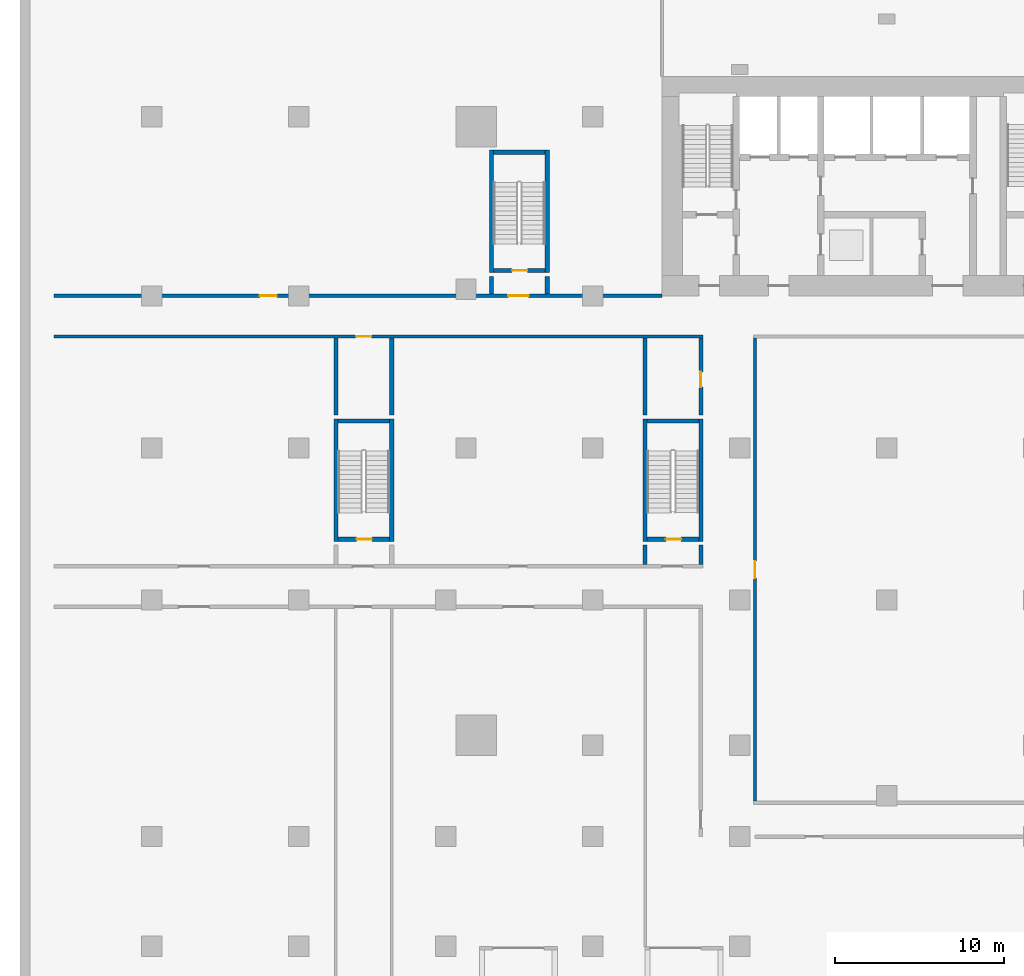
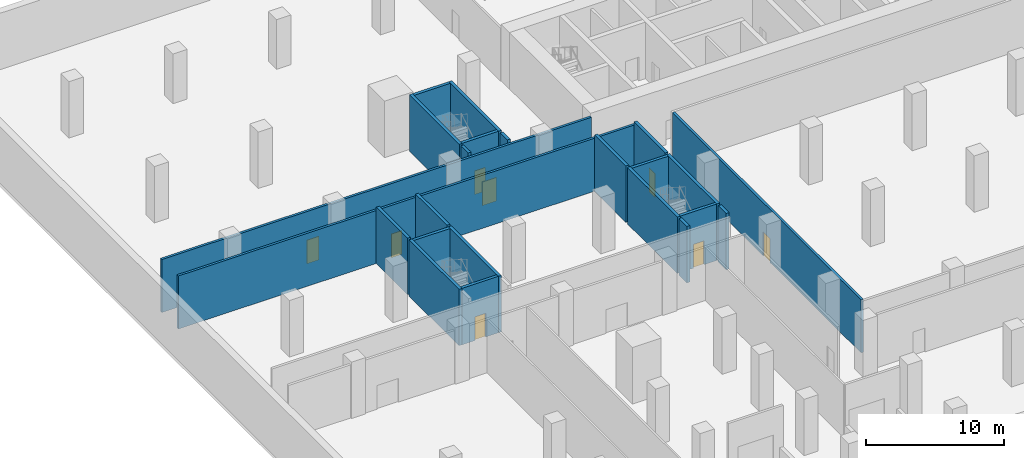
# One storey, part 6 of 16: 23 walls, 8 doors, 8 openings.
"""IFC4 building model written with IfcOpenShell, lengths in metres."""

from ifc_helpers import new_model, si_unit, direction, frame, frame_2d, origin, place, context, subcontext, project, spatial, rectangle, extrude, material, layer, layer_set, type_object, element, fill, save


model = new_model("IFC4")

# Units and contexts
model_context = context("Model", 3, precision=1e-05, world=origin(), true_north=direction((0.0, 1.0)))
body_context = subcontext(model_context, "Body", "Model", "MODEL_VIEW")
ifc_project = project(units=[si_unit("LENGTHUNIT", "METRE"), si_unit("AREAUNIT", "SQUARE_METRE"), si_unit("VOLUMEUNIT", "CUBIC_METRE"), si_unit("PLANEANGLEUNIT", "RADIAN"), si_unit("MASSUNIT", "GRAM", prefix="KILO")], contexts=[model_context])

# Site, building, storey
site_placement = place(None, origin())
site = spatial("IfcSite", under=ifc_project, at=site_placement, CompositionType="ELEMENT")
building_placement = place(site_placement, origin())
building = spatial("IfcBuilding", under=site, at=building_placement, Name="Bicima Exchange Tower", CompositionType="ELEMENT")
storey_placement = place(building_placement, frame((0.0, 0.0, -5.0)))
storey = spatial("IfcBuildingStorey", under=building, at=storey_placement, Name="B1", CompositionType="ELEMENT", Elevation=-5.0)

# Wall, opening, door
ifc_material_1 = material(Name="Gypsum board partition")
ifc_layer_1 = layer(ifc_material_1, 0.199951171875)
ifc_layer_set_1 = layer_set([ifc_layer_1], Name="Gypsum board partition")
wall_type_1 = type_object("IfcWallType", Name="Fire-rated gypsum partition 200 EI60", PredefinedType="PARTITIONING", material=ifc_layer_set_1)
wall_1_placement = place(storey_placement, frame((-58.0, -15.39990234375, 0.0), z_axis=(0.0, 0.0, 1.0), x_axis=(1.0, 0.0, 0.0)))
wall_1 = element("IfcWall", 1, at=wall_1_placement, inside=storey, type_object=wall_type_1, Name="partition wall 18", PredefinedType="PARTITIONING", context=body_context, shape_type="SweptSolid", body=[
    extrude(rectangle(XDim=38.425048828125, YDim=0.199951171875, at=frame_2d((19.21240234375, 0.0))), origin(), (0.0, 0.0, 1.0), 4.699951171875),
])
opening_1_placement = place(wall_1_placement, frame((17.89990234375, 0.0, 0.0)))
opening_1 = element("IfcOpeningElement", 2, at=opening_1_placement, cuts=wall_1, Name="Opening B1-020", PredefinedType="OPENING", context=body_context, shape_type="SweptSolid", body=[
    extrude(rectangle(XDim=0.89990234375, YDim=2.10009765625, at=frame_2d((0.449951171875, 1.050048828125))), frame((0.0, 0.11181640625, 0.0), z_axis=(0.0, -1.0, 0.0), x_axis=(1.0, 0.0, 0.0)), (0.0, 0.0, 1.0), 0.223876953125),
])
ifc_material_2 = material(Name="Steel fire door leaf", Category="steel")
door_type_1 = type_object("IfcDoorType", Name="Door 900 swing FD30S", OperationType="SINGLE_SWING_LEFT", PredefinedType="DOOR", material=ifc_material_2)
door_1_placement = place(opening_1_placement, frame((0.89990234375, 0.0, 0.0), z_axis=(0.0, 0.0, 1.0), x_axis=(-1.0, 0.0, 0.0)))
door_1 = element("IfcDoor", 3, at=door_1_placement, inside=storey, type_object=door_type_1, Name="Door", OperationType="SINGLE_SWING_RIGHT", OverallHeight=2.10009765625, OverallWidth=0.89990234375, PredefinedType="DOOR", context=body_context, shape_type="SweptSolid", body=[
    extrude(rectangle(XDim=0.89990234375, YDim=2.10009765625, at=frame_2d((0.449951171875, 1.050048828125))), frame((0.0, 0.02490234375, 0.0), z_axis=(0.0, -1.0, 0.0), x_axis=(1.0, 0.0, 0.0)), (0.0, 0.0, 1.0), 0.050048828125),
])
fill(opening_1, door_1)

# Wall, openings, doors
wall_2_placement = place(storey_placement, frame((-58.0, -13.0, 0.0), z_axis=(0.0, 0.0, 1.0), x_axis=(1.0, 0.0, 0.0)))
wall_2 = element("IfcWall", 4, at=wall_2_placement, inside=storey, type_object=wall_type_1, Name="partition wall 22", PredefinedType="PARTITIONING", context=body_context, shape_type="SweptSolid", body=[
    extrude(rectangle(XDim=36.0, YDim=0.199951171875, at=frame_2d((18.0, 0.0))), origin(), (0.0, 0.0, 1.0), 4.699951171875),
])
opening_2_placement = place(wall_2_placement, frame((26.89990234375, 0.0, 0.0)))
opening_2 = element("IfcOpeningElement", 5, at=opening_2_placement, cuts=wall_2, Name="Opening B1-009", PredefinedType="OPENING", context=body_context, shape_type="SweptSolid", body=[
    extrude(rectangle(XDim=1.199951171875, YDim=2.10009765625, at=frame_2d((0.60009765625, 1.050048828125))), frame((0.0, 0.11181640625, 0.0), z_axis=(0.0, -1.0, 0.0), x_axis=(1.0, 0.0, 0.0)), (0.0, 0.0, 1.0), 0.223876953125),
])
opening_3_placement = place(wall_2_placement, frame((12.199951171875, 0.0, 0.0)))
opening_3 = element("IfcOpeningElement", 6, at=opening_3_placement, cuts=wall_2, Name="Opening B1-015", PredefinedType="OPENING", context=body_context, shape_type="SweptSolid", body=[
    extrude(rectangle(XDim=1.0, YDim=2.10009765625, at=frame_2d((0.5, 1.050048828125))), frame((0.0, 0.11181640625, 0.0), z_axis=(0.0, -1.0, 0.0), x_axis=(1.0, 0.0, 0.0)), (0.0, 0.0, 1.0), 0.223876953125),
])
door_type_2 = type_object("IfcDoorType", Name="Door 1000 swing FD30S", OperationType="SINGLE_SWING_LEFT", PredefinedType="DOOR", material=ifc_material_2)
door_2_placement = place(opening_3_placement, origin())
door_2 = element("IfcDoor", 7, at=door_2_placement, inside=storey, type_object=door_type_2, Name="Door", OperationType="SINGLE_SWING_RIGHT", OverallHeight=2.10009765625, OverallWidth=1.0, PredefinedType="DOOR", context=body_context, shape_type="SweptSolid", body=[
    extrude(rectangle(XDim=1.0, YDim=2.10009765625, at=frame_2d((0.5, 1.050048828125))), frame((0.0, 0.02490234375, 0.0), z_axis=(0.0, -1.0, 0.0), x_axis=(1.0, 0.0, 0.0)), (0.0, 0.0, 1.0), 0.050048828125),
])
fill(opening_3, door_2)
door_type_3 = type_object("IfcDoorType", Name="Door 1200 swing FD30S", OperationType="SINGLE_SWING_LEFT", PredefinedType="DOOR", material=ifc_material_2)
door_3_placement = place(opening_2_placement, origin())
door_3 = element("IfcDoor", 8, at=door_3_placement, inside=storey, type_object=door_type_3, Name="Door", OperationType="SINGLE_SWING_RIGHT", OverallHeight=2.10009765625, OverallWidth=1.199951171875, PredefinedType="DOOR", context=body_context, shape_type="SweptSolid", body=[
    extrude(rectangle(XDim=1.199951171875, YDim=2.10009765625, at=frame_2d((0.60009765625, 1.050048828125))), frame((0.0, 0.02490234375, 0.0), z_axis=(0.0, -1.0, 0.0), x_axis=(1.0, 0.0, 0.0)), (0.0, 0.0, 1.0), 0.050048828125),
])
fill(opening_2, door_3)

# Wall, opening, door
wall_3_placement = place(storey_placement, frame((-16.5, -42.89990234375, 0.0), z_axis=(0.0, 0.0, 1.0), x_axis=(0.0, 1.0, 0.0)))
wall_3 = element("IfcWall", 9, at=wall_3_placement, inside=storey, type_object=wall_type_1, Name="partition wall 41", PredefinedType="PARTITIONING", context=body_context, shape_type="SweptSolid", body=[
    extrude(rectangle(XDim=27.39990234375, YDim=0.199951171875, at=frame_2d((13.699951171875, 0.0))), origin(), (0.0, 0.0, 1.0), 4.699951171875),
])
opening_4_placement = place(wall_3_placement, frame((13.199951171875, 0.0, 0.0)))
opening_4 = element("IfcOpeningElement", 10, at=opening_4_placement, cuts=wall_3, Name="Opening B1-013", PredefinedType="OPENING", context=body_context, shape_type="SweptSolid", body=[
    extrude(rectangle(XDim=1.0, YDim=2.10009765625, at=frame_2d((0.5, 1.050048828125))), frame((0.0, 0.11181640625, 0.0), z_axis=(0.0, -1.0, 0.0), x_axis=(1.0, 0.0, 0.0)), (0.0, 0.0, 1.0), 0.223876953125),
])
door_4_placement = place(opening_4_placement, frame((1.0, 0.0, 0.0), z_axis=(0.0, 0.0, 1.0), x_axis=(-1.0, 0.0, 0.0)))
door_4 = element("IfcDoor", 11, at=door_4_placement, inside=storey, type_object=door_type_2, Name="Door", OperationType="SINGLE_SWING_LEFT", OverallHeight=2.10009765625, OverallWidth=1.0, PredefinedType="DOOR", context=body_context, shape_type="SweptSolid", body=[
    extrude(rectangle(XDim=1.0, YDim=2.10009765625, at=frame_2d((0.5, 1.050048828125))), frame((0.0, 0.02490234375, 0.0), z_axis=(0.0, -1.0, 0.0), x_axis=(1.0, 0.0, 0.0)), (0.0, 0.0, 1.0), 0.050048828125),
])
fill(opening_4, door_4)

# Walls
ifc_material_3 = material(Name="Concrete C50/60", Category="concrete")
ifc_layer_2 = layer(ifc_material_3, 0.25)
ifc_layer_set_2 = layer_set([ifc_layer_2], Name="Concrete C50/60")
wall_type_2 = type_object("IfcWallType", Name="RC core wall 250 C50/60", PredefinedType="SHEAR", material=ifc_layer_set_2)
for number, where, z_axis, x_axis, name in (
    (12, (-41.300048828125, -20.050048828125, 0.0), (0.0, 0.0, 1.0), (0.0, 1.0, 0.0), "stair wall 31"),
    (13, (-38.0, -20.050048828125, 0.0), (0.0, 0.0, 1.0), (0.0, 1.0, 0.0), "stair wall 33"),
):
    element("IfcWall", number, at=place(storey_placement, frame(where, z_axis=z_axis, x_axis=x_axis)), inside=storey, type_object=wall_type_2, Name=name, PredefinedType="SHEAR", context=body_context, shape_type="SweptSolid", body=[
        extrude(rectangle(XDim=4.550048828125, YDim=0.25, at=frame_2d((2.27490234375, 0.0))), origin(), (0.0, 0.0, 1.0), 5.0),
    ])
for number, where, z_axis, x_axis, name in (
    (14, (-32.10009765625, -12.89990234375, 0.0), (0.0, 0.0, 1.0), (0.0, 1.0, 0.0), "stair wall 34"),
    (15, (-28.800048828125, -12.89990234375, 0.0), (0.0, 0.0, 1.0), (0.0, 1.0, 0.0), "stair wall 35"),
):
    element("IfcWall", number, at=place(storey_placement, frame(where, z_axis=z_axis, x_axis=x_axis)), inside=storey, type_object=wall_type_2, Name=name, PredefinedType="SHEAR", context=body_context, shape_type="SweptSolid", body=[
        extrude(rectangle(XDim=1.0498046875, YDim=0.25, at=frame_2d((0.52490234375, 0.0))), origin(), (0.0, 0.0, 1.0), 5.0),
    ])
wall_4_placement = place(storey_placement, frame((-23.0, -28.89990234375, 0.0), z_axis=(0.0, 0.0, 1.0), x_axis=(0.0, 1.0, 0.0)))
element("IfcWall", 16, at=wall_4_placement, inside=storey, type_object=wall_type_2, Name="stair wall 37", PredefinedType="SHEAR", context=body_context, shape_type="SweptSolid", body=[
    extrude(rectangle(XDim=1.14990234375, YDim=0.25, at=frame_2d((0.574951171875, 0.0))), origin(), (0.0, 0.0, 1.0), 5.0),
])
wall_5_placement = place(storey_placement, frame((-23.0, -20.050048828125, 0.0), z_axis=(0.0, 0.0, 1.0), x_axis=(0.0, 1.0, 0.0)))
element("IfcWall", 17, at=wall_5_placement, inside=storey, type_object=wall_type_2, Name="stair wall 37", PredefinedType="SHEAR", context=body_context, shape_type="SweptSolid", body=[
    extrude(rectangle(XDim=4.550048828125, YDim=0.25, at=frame_2d((2.27490234375, 0.0))), origin(), (0.0, 0.0, 1.0), 5.0),
])
wall_6_placement = place(storey_placement, frame((-19.699951171875, -28.89990234375, 0.0), z_axis=(0.0, 0.0, 1.0), x_axis=(0.0, 1.0, 0.0)))
element("IfcWall", 18, at=wall_6_placement, inside=storey, type_object=wall_type_2, Name="stair wall 40", PredefinedType="SHEAR", context=body_context, shape_type="SweptSolid", body=[
    extrude(rectangle(XDim=1.14990234375, YDim=0.25, at=frame_2d((0.574951171875, 0.0))), origin(), (0.0, 0.0, 1.0), 5.0),
])

# Wall, opening, door
wall_7_placement = place(storey_placement, frame((-19.699951171875, -20.050048828125, 0.0), z_axis=(0.0, 0.0, 1.0), x_axis=(0.0, 1.0, 0.0)))
wall_7 = element("IfcWall", 19, at=wall_7_placement, inside=storey, type_object=wall_type_2, Name="stair wall 40", PredefinedType="SHEAR", context=body_context, shape_type="SweptSolid", body=[
    extrude(rectangle(XDim=4.550048828125, YDim=0.25, at=frame_2d((2.27490234375, 0.0))), origin(), (0.0, 0.0, 1.0), 5.0),
])
opening_5_placement = place(wall_7_placement, frame((1.64990234375, 0.0, 0.0)))
opening_5 = element("IfcOpeningElement", 20, at=opening_5_placement, cuts=wall_7, Name="Opening B1-024", PredefinedType="OPENING", context=body_context, shape_type="SweptSolid", body=[
    extrude(rectangle(XDim=0.89990234375, YDim=2.10009765625, at=frame_2d((0.449951171875, 1.050048828125))), frame((0.0, 0.136962890625, 0.0), z_axis=(0.0, -1.0, 0.0), x_axis=(1.0, 0.0, 0.0)), (0.0, 0.0, 1.0), 0.27392578125),
])
door_type_4 = type_object("IfcDoorType", Name="Door 900 swing FD60S", OperationType="SINGLE_SWING_LEFT", PredefinedType="DOOR", material=ifc_material_2)
door_5_placement = place(opening_5_placement, origin())
door_5 = element("IfcDoor", 21, at=door_5_placement, inside=storey, type_object=door_type_4, Name="Door", OperationType="SINGLE_SWING_RIGHT", OverallHeight=2.10009765625, OverallWidth=0.89990234375, PredefinedType="DOOR", context=body_context, shape_type="SweptSolid", body=[
    extrude(rectangle(XDim=0.89990234375, YDim=2.10009765625, at=frame_2d((0.449951171875, 1.050048828125))), frame((0.0, 0.02490234375, 0.0), z_axis=(0.0, -1.0, 0.0), x_axis=(1.0, 0.0, 0.0)), (0.0, 0.0, 1.0), 0.050048828125),
])
fill(opening_5, door_5)

# Walls
ifc_layer_3 = layer(ifc_material_3, 0.25)
ifc_layer_set_3 = layer_set([ifc_layer_3], Name="Concrete C50/60")
wall_type_3 = type_object("IfcWallType", Name="RC stair enclosure wall 250 C50/60", PredefinedType="SHEAR", material=ifc_layer_set_3)
for number, where, z_axis, x_axis, name in (
    (22, (-32.10009765625, -11.625, 0.0), (0.0, 0.0, 1.0), (0.0, 1.0, 0.0), "West end exit stair wall W"),
    (23, (-28.800048828125, -11.625, 0.0), (0.0, 0.0, 1.0), (0.0, 1.0, 0.0), "West end exit stair wall E"),
):
    element("IfcWall", number, at=place(storey_placement, frame(where, z_axis=z_axis, x_axis=x_axis)), inside=storey, type_object=wall_type_3, Name=name, PredefinedType="SHEAR", context=body_context, shape_type="SweptSolid", body=[
        extrude(rectangle(XDim=7.25, YDim=0.25, at=frame_2d((3.625, 0.0))), origin(), (0.0, 0.0, 1.0), 5.0),
    ])

# Wall, opening, door
wall_8_placement = place(storey_placement, frame((-31.97509765625, -11.5, 0.0), z_axis=(0.0, 0.0, 1.0), x_axis=(1.0, 0.0, 0.0)))
wall_8 = element("IfcWall", 24, at=wall_8_placement, inside=storey, type_object=wall_type_3, Name="West end exit stair wall S", PredefinedType="SHEAR", context=body_context, shape_type="SweptSolid", body=[
    extrude(rectangle(XDim=3.050048828125, YDim=0.25, at=frame_2d((1.52490234375, 0.0))), origin(), (0.0, 0.0, 1.0), 5.0),
])
opening_6_placement = place(wall_8_placement, frame((1.10009765625, 0.0, 0.0)))
opening_6 = element("IfcOpeningElement", 25, at=opening_6_placement, cuts=wall_8, Name="Opening B1-010", PredefinedType="OPENING", context=body_context, shape_type="SweptSolid", body=[
    extrude(rectangle(XDim=0.89990234375, YDim=2.10009765625, at=frame_2d((0.449951171875, 1.050048828125))), frame((0.0, 0.136962890625, 0.0), z_axis=(0.0, -1.0, 0.0), x_axis=(1.0, 0.0, 0.0)), (0.0, 0.0, 1.0), 0.27392578125),
])
door_6_placement = place(opening_6_placement, origin())
door_6 = element("IfcDoor", 26, at=door_6_placement, inside=storey, type_object=door_type_4, Name="Door", OperationType="SINGLE_SWING_LEFT", OverallHeight=2.10009765625, OverallWidth=0.89990234375, PredefinedType="DOOR", context=body_context, shape_type="SweptSolid", body=[
    extrude(rectangle(XDim=0.89990234375, YDim=2.10009765625, at=frame_2d((0.449951171875, 1.050048828125))), frame((0.0, 0.02490234375, 0.0), z_axis=(0.0, -1.0, 0.0), x_axis=(1.0, 0.0, 0.0)), (0.0, 0.0, 1.0), 0.050048828125),
])
fill(opening_6, door_6)

# Walls
wall_9_placement = place(storey_placement, frame((-31.97509765625, -4.5, 0.0), z_axis=(0.0, 0.0, 1.0), x_axis=(1.0, 0.0, 0.0)))
element("IfcWall", 27, at=wall_9_placement, inside=storey, type_object=wall_type_3, Name="West end exit stair wall N", PredefinedType="SHEAR", context=body_context, shape_type="SweptSolid", body=[
    extrude(rectangle(XDim=3.050048828125, YDim=0.25, at=frame_2d((1.52490234375, 0.0))), origin(), (0.0, 0.0, 1.0), 5.0),
])
for number, where, z_axis, x_axis, name in (
    (28, (-41.300048828125, -27.52490234375, 0.0), (0.0, 0.0, 1.0), (0.0, 1.0, 0.0), "Podium west stair wall W"),
    (29, (-38.0, -27.52490234375, 0.0), (0.0, 0.0, 1.0), (0.0, 1.0, 0.0), "Podium west stair wall E"),
):
    element("IfcWall", number, at=place(storey_placement, frame(where, z_axis=z_axis, x_axis=x_axis)), inside=storey, type_object=wall_type_3, Name=name, PredefinedType="SHEAR", context=body_context, shape_type="SweptSolid", body=[
        extrude(rectangle(XDim=7.25, YDim=0.25, at=frame_2d((3.625, 0.0))), origin(), (0.0, 0.0, 1.0), 5.0),
    ])

# Wall, opening, door
wall_10_placement = place(storey_placement, frame((-41.175048828125, -27.39990234375, 0.0), z_axis=(0.0, 0.0, 1.0), x_axis=(1.0, 0.0, 0.0)))
wall_10 = element("IfcWall", 30, at=wall_10_placement, inside=storey, type_object=wall_type_3, Name="Podium west stair wall S", PredefinedType="SHEAR", context=body_context, shape_type="SweptSolid", body=[
    extrude(rectangle(XDim=3.050048828125, YDim=0.25, at=frame_2d((1.52490234375, 0.0))), origin(), (0.0, 0.0, 1.0), 5.0),
])
opening_7_placement = place(wall_10_placement, frame((1.10009765625, 0.0, 0.0)))
opening_7 = element("IfcOpeningElement", 31, at=opening_7_placement, cuts=wall_10, Name="Opening B1-002", PredefinedType="OPENING", context=body_context, shape_type="SweptSolid", body=[
    extrude(rectangle(XDim=0.89990234375, YDim=2.10009765625, at=frame_2d((0.449951171875, 1.050048828125))), frame((0.0, 0.136962890625, 0.0), z_axis=(0.0, -1.0, 0.0), x_axis=(1.0, 0.0, 0.0)), (0.0, 0.0, 1.0), 0.27392578125),
])
door_7_placement = place(opening_7_placement, origin())
door_7 = element("IfcDoor", 32, at=door_7_placement, inside=storey, type_object=door_type_4, Name="Door", OperationType="SINGLE_SWING_LEFT", OverallHeight=2.10009765625, OverallWidth=0.89990234375, PredefinedType="DOOR", context=body_context, shape_type="SweptSolid", body=[
    extrude(rectangle(XDim=0.89990234375, YDim=2.10009765625, at=frame_2d((0.449951171875, 1.050048828125))), frame((0.0, 0.02490234375, 0.0), z_axis=(0.0, -1.0, 0.0), x_axis=(1.0, 0.0, 0.0)), (0.0, 0.0, 1.0), 0.050048828125),
])
fill(opening_7, door_7)

# Walls
wall_11_placement = place(storey_placement, frame((-41.175048828125, -20.39990234375, 0.0), z_axis=(0.0, 0.0, 1.0), x_axis=(1.0, 0.0, 0.0)))
element("IfcWall", 33, at=wall_11_placement, inside=storey, type_object=wall_type_3, Name="Podium west stair wall N", PredefinedType="SHEAR", context=body_context, shape_type="SweptSolid", body=[
    extrude(rectangle(XDim=3.050048828125, YDim=0.25, at=frame_2d((1.52490234375, 0.0))), origin(), (0.0, 0.0, 1.0), 5.0),
])
for number, where, z_axis, x_axis, name in (
    (34, (-23.0, -27.52490234375, 0.0), (0.0, 0.0, 1.0), (0.0, 1.0, 0.0), "Podium inner west stair wall W"),
    (35, (-19.699951171875, -27.52490234375, 0.0), (0.0, 0.0, 1.0), (0.0, 1.0, 0.0), "Podium inner west stair wall E"),
):
    element("IfcWall", number, at=place(storey_placement, frame(where, z_axis=z_axis, x_axis=x_axis)), inside=storey, type_object=wall_type_3, Name=name, PredefinedType="SHEAR", context=body_context, shape_type="SweptSolid", body=[
        extrude(rectangle(XDim=7.25, YDim=0.25, at=frame_2d((3.625, 0.0))), origin(), (0.0, 0.0, 1.0), 5.0),
    ])

# Wall, opening, door
wall_12_placement = place(storey_placement, frame((-22.875, -27.39990234375, 0.0), z_axis=(0.0, 0.0, 1.0), x_axis=(1.0, 0.0, 0.0)))
wall_12 = element("IfcWall", 36, at=wall_12_placement, inside=storey, type_object=wall_type_3, Name="Podium inner west stair wall S", PredefinedType="SHEAR", context=body_context, shape_type="SweptSolid", body=[
    extrude(rectangle(XDim=3.050048828125, YDim=0.25, at=frame_2d((1.52490234375, 0.0))), origin(), (0.0, 0.0, 1.0), 5.0),
])
opening_8_placement = place(wall_12_placement, frame((1.10009765625, 0.0, 0.0)))
opening_8 = element("IfcOpeningElement", 37, at=opening_8_placement, cuts=wall_12, Name="Opening B1-004", PredefinedType="OPENING", context=body_context, shape_type="SweptSolid", body=[
    extrude(rectangle(XDim=0.89990234375, YDim=2.10009765625, at=frame_2d((0.449951171875, 1.050048828125))), frame((0.0, 0.136962890625, 0.0), z_axis=(0.0, -1.0, 0.0), x_axis=(1.0, 0.0, 0.0)), (0.0, 0.0, 1.0), 0.27392578125),
])
door_8_placement = place(opening_8_placement, origin())
door_8 = element("IfcDoor", 38, at=door_8_placement, inside=storey, type_object=door_type_4, Name="Door", OperationType="SINGLE_SWING_LEFT", OverallHeight=2.10009765625, OverallWidth=0.89990234375, PredefinedType="DOOR", context=body_context, shape_type="SweptSolid", body=[
    extrude(rectangle(XDim=0.89990234375, YDim=2.10009765625, at=frame_2d((0.449951171875, 1.050048828125))), frame((0.0, 0.02490234375, 0.0), z_axis=(0.0, -1.0, 0.0), x_axis=(1.0, 0.0, 0.0)), (0.0, 0.0, 1.0), 0.050048828125),
])
fill(opening_8, door_8)

# Wall
wall_13_placement = place(storey_placement, frame((-22.875, -20.39990234375, 0.0), z_axis=(0.0, 0.0, 1.0), x_axis=(1.0, 0.0, 0.0)))
element("IfcWall", 39, at=wall_13_placement, inside=storey, type_object=wall_type_3, Name="Podium inner west stair wall N", PredefinedType="SHEAR", context=body_context, shape_type="SweptSolid", body=[
    extrude(rectangle(XDim=3.050048828125, YDim=0.25, at=frame_2d((1.52490234375, 0.0))), origin(), (0.0, 0.0, 1.0), 5.0),
])

save(model, "model.ifc")
